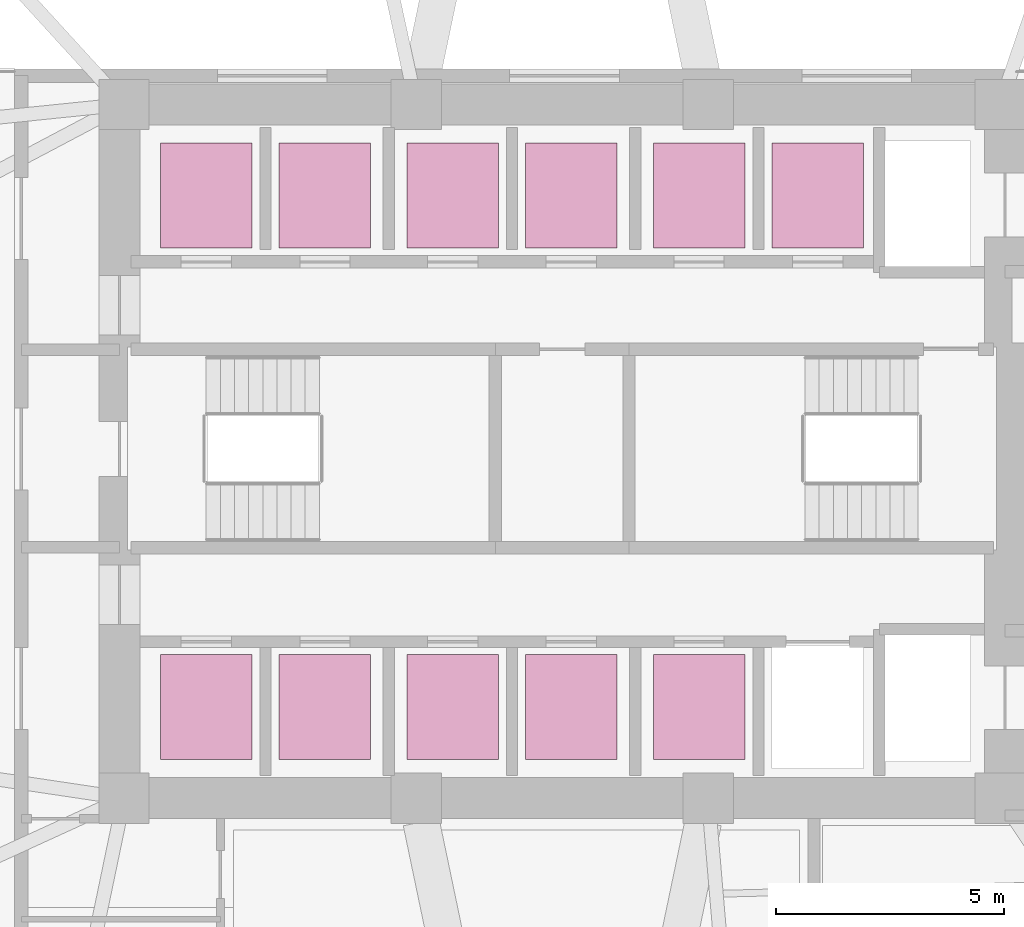
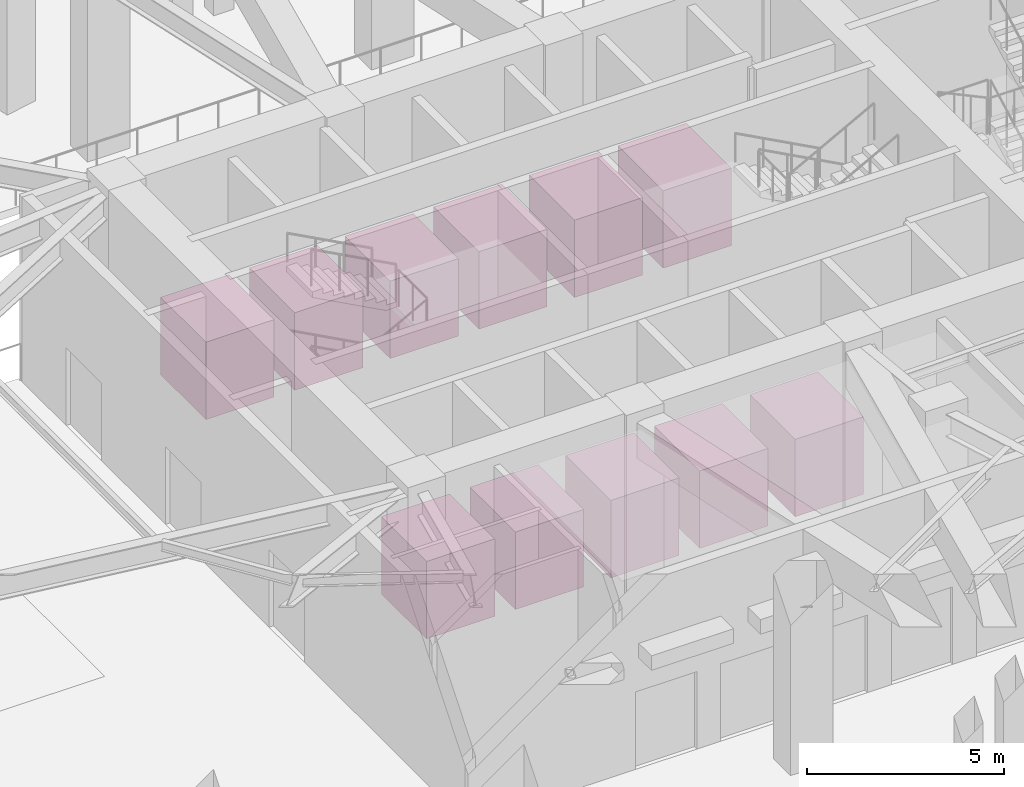
# One storey, part 14 of 14: 11 transport elements.
"""IFC4 building model written with IfcOpenShell, lengths in metres."""

import ifcopenshell
import ifcopenshell.guid

model = None  # the IFC model being written
_history = None  # IfcOwnerHistory: only IFC2X3 demands one
_inside = {}  # id of a spatial element -> (the spatial element, [elements in it])
_under = {}  # id of a project, library or spatial element -> (it, [spatial elements below it])
_declared = {}  # id of a project -> (the project, [libraries it declares])
_typed = {}  # id of a type object -> (the type object, [elements of that type])
_made_of = {}  # id of a material, layer set ... -> (it, [elements and type objects made of it])


def new_model(schema):
    """Start an empty IFC model of exactly this schema.

    Asked for "IFC4X3", IfcOpenShell would pick the latest addendum, in which some entities
    have other attributes; the version numbers below select the first issue.
    IFC2X3 requires an IfcOwnerHistory on every rooted entity: one is made here for all.
    """
    global model, _history
    if schema == "IFC4X3":
        model = ifcopenshell.file(schema_version=(4, 3, 0, 0))
    else:
        model = ifcopenshell.file(schema=schema)
    _inside.clear()
    _under.clear()
    _declared.clear()
    _typed.clear()
    _made_of.clear()
    _history = None
    if model.schema == "IFC2X3":
        org = make("IfcOrganization", Name="unknown")
        user = make(
            "IfcPersonAndOrganization",
            ThePerson=make("IfcPerson", FamilyName="unknown"),
            TheOrganization=org,
        )
        app = make(
            "IfcApplication",
            ApplicationDeveloper=org,
            Version="unknown",
            ApplicationFullName="unknown",
            ApplicationIdentifier="unknown",
        )
        _history = make(
            "IfcOwnerHistory",
            OwningUser=user,
            OwningApplication=app,
            ChangeAction="ADDED",
            CreationDate=0,
        )
    return model


def make(cls, **values):
    """One entity of the class cls with the attributes given. An attribute that is None is left unset."""
    return model.create_entity(
        cls, **{name: value for name, value in values.items() if value is not None}
    )


def rooted(cls, **values):
    """An entity with a GlobalId (a new one), such as an element, a storey or a relation."""
    return make(cls, GlobalId=ifcopenshell.guid.new(), OwnerHistory=_history, **values)


def si_unit(unit_type, name, prefix=None):
    """IfcSIUnit, for example si_unit("LENGTHUNIT", "METRE", prefix="MILLI")."""
    return make("IfcSIUnit", UnitType=unit_type, Prefix=prefix, Name=name)


def assignment(units):
    """IfcUnitAssignment: the units of a project."""
    return None if units is None else make("IfcUnitAssignment", Units=units)


def point(xyz):
    """IfcCartesianPoint."""
    return None if xyz is None else make("IfcCartesianPoint", Coordinates=xyz)


def direction(xyz):
    """IfcDirection."""
    return None if xyz is None else make("IfcDirection", DirectionRatios=xyz)


def frame(location, z_axis=None, x_axis=None):
    """IfcAxis2Placement3D, a coordinate frame: its origin and axes. An axis left out is left unset."""
    return make(
        "IfcAxis2Placement3D",
        Location=point(location),
        Axis=direction(z_axis),
        RefDirection=direction(x_axis),
    )


def frame_2d(location, x_axis=None):
    """IfcAxis2Placement2D, a coordinate frame in the plane: its origin and x axis."""
    return make(
        "IfcAxis2Placement2D", Location=point(location), RefDirection=direction(x_axis)
    )


def origin():
    """The frame at (0, 0, 0) with its axes left unset."""
    return frame((0.0, 0.0, 0.0))


def origin_2d():
    """The frame at (0, 0) in the plane with its x axis left unset."""
    return frame_2d((0.0, 0.0))


def place(relative_to, where):
    """IfcLocalPlacement: puts the frame where relative to a parent placement (None: the world)."""
    return make(
        "IfcLocalPlacement", PlacementRelTo=relative_to, RelativePlacement=where
    )


def context(
    kind, dimensions, precision=None, world=None, true_north=None, identifier=None
):
    """IfcGeometricRepresentationContext, for example the 3D "Model" context."""
    return make(
        "IfcGeometricRepresentationContext",
        ContextIdentifier=identifier,
        ContextType=kind,
        CoordinateSpaceDimension=dimensions,
        Precision=precision,
        WorldCoordinateSystem=world,
        TrueNorth=true_north,
    )


def subcontext(parent, identifier, kind, view, scale=None):
    """IfcGeometricRepresentationSubContext, for example "Body" below "Model"."""
    return make(
        "IfcGeometricRepresentationSubContext",
        ContextIdentifier=identifier,
        ContextType=kind,
        ParentContext=parent,
        TargetScale=scale,
        TargetView=view,
    )


def project(units=None, contexts=None):
    """IfcProject with its units and contexts."""
    return rooted(
        "IfcProject",
        Name="project",
        RepresentationContexts=contexts,
        UnitsInContext=assignment(units),
    )


def spatial(cls, under=None, at=None, **own):
    """A site, building, storey or space (cls), placed at a placement, below another one or the project."""
    s = rooted(cls, ObjectPlacement=at, **own)
    if under is not None:
        _under.setdefault(under.id(), (under, []))[1].append(s)
    return s


def profile(cls, at=None, kind="AREA", **sizes):
    """A parametric profile (cls). Its sizes go by their IFC names, for example OverallWidth=200.0."""
    return make(cls, ProfileType=kind, Position=at, **sizes)


def rectangle(**sizes):
    """IfcRectangleProfileDef."""
    return profile("IfcRectangleProfileDef", **sizes)


def extrude(swept, where, along, depth):
    """IfcExtrudedAreaSolid: the profile swept, set in the frame where, extruded along a direction by depth."""
    return make(
        "IfcExtrudedAreaSolid",
        SweptArea=swept,
        Position=where,
        ExtrudedDirection=direction(along),
        Depth=depth,
    )


def shape(context_of_items, identifier, shape_type, items):
    """IfcShapeRepresentation: the items that make up one representation, for example the "Body"."""
    return make(
        "IfcShapeRepresentation",
        ContextOfItems=context_of_items,
        RepresentationIdentifier=identifier,
        RepresentationType=shape_type,
        Items=items,
    )


def material(Name=None, Category=None):
    """IfcMaterial."""
    return make("IfcMaterial", Name=Name, Category=Category)


def made_of(thing, what):
    """Note that an element or type object is made of a material, layer set ...; save() writes the relation."""
    if what is not None:
        _made_of.setdefault(what.id(), (what, []))[1].append(thing)
    return thing


def type_object(cls, material=None, **own):
    """A type object (cls), such as IfcWallType, which elements share."""
    return made_of(rooted(cls, **own), material)


def element(
    cls,
    number,
    at=None,
    inside=None,
    cuts=None,
    type_object=None,
    material=None,
    context=None,
    identifier="Body",
    shape_type=None,
    held_by="IfcProductDefinitionShape",
    body=None,
    shapes=None,
    **own,
):
    """One element of the class cls, such as IfcWall. Its Tag is "e" and its number.

    at: its placement. inside: the storey or other place that contains it. cuts: it is an
    opening in that element (IfcRelVoidsElement). A single representation is given by context,
    identifier, shape_type and body (its items); several are given by shapes. held_by: the class
    of the entity that holds the representations. save() writes the other relations.
    """
    e = rooted(cls, Tag="e%d" % number, ObjectPlacement=at, **own)
    if body is not None:
        shapes = [shape(context, identifier, shape_type, body)]
    if shapes is not None:
        e.Representation = make(held_by, Representations=shapes)
    if inside is not None:
        _inside.setdefault(inside.id(), (inside, []))[1].append(e)
    if cuts is not None:
        rooted(
            "IfcRelVoidsElement", RelatingBuildingElement=cuts, RelatedOpeningElement=e
        )
    if type_object is not None:
        _typed.setdefault(type_object.id(), (type_object, []))[1].append(e)
    return made_of(e, material)


def aggregate(whole, parts):
    """IfcRelAggregates: a whole, such as a stair, and the parts it consists of."""
    return rooted("IfcRelAggregates", RelatingObject=whole, RelatedObjects=parts)


def save(model, path):
    """Write the relations noted so far, then the file.

    IfcRelAggregates (storeys below a building ...), IfcRelContainedInSpatialStructure (elements
    in a storey), IfcRelDefinesByType, IfcRelAssociatesMaterial and IfcRelDeclares: one each for
    every whole, place, type object, material and project.
    """
    for whole, parts in _under.values():
        aggregate(whole, parts)
    for where, things in _inside.values():
        rooted(
            "IfcRelContainedInSpatialStructure",
            RelatedElements=things,
            RelatingStructure=where,
        )
    for kind, things in _typed.values():
        rooted("IfcRelDefinesByType", RelatedObjects=things, RelatingType=kind)
    for what, things in _made_of.values():
        rooted("IfcRelAssociatesMaterial", RelatedObjects=things, RelatingMaterial=what)
    for by, libraries in _declared.values():
        rooted("IfcRelDeclares", RelatingContext=by, RelatedDefinitions=libraries)
    model.write(path)


model = new_model("IFC4")

# Units and contexts
model_context = context("Model", 3, precision=1e-05, world=origin(), true_north=direction((0.0, 1.0)))
body_context = subcontext(model_context, "Body", "Model", "MODEL_VIEW")
ifc_project = project(units=[si_unit("LENGTHUNIT", "METRE"), si_unit("AREAUNIT", "SQUARE_METRE"), si_unit("VOLUMEUNIT", "CUBIC_METRE"), si_unit("PLANEANGLEUNIT", "RADIAN"), si_unit("MASSUNIT", "GRAM", prefix="KILO")], contexts=[model_context])

# Site, building, storey
site_placement = place(None, origin())
site = spatial("IfcSite", under=ifc_project, at=site_placement, CompositionType="ELEMENT")
building_placement = place(site_placement, origin())
building = spatial("IfcBuilding", under=site, at=building_placement, Name="Lazwardi Medical Tower", CompositionType="ELEMENT")
storey_placement = place(building_placement, origin())
storey = spatial("IfcBuildingStorey", under=building, at=storey_placement, Name="L00", CompositionType="ELEMENT", Elevation=0.0)

# Transport elements
ifc_material = material(Name="Stainless steel Grade 316", Category="steel")
transport_element_type = type_object("IfcTransportElementType", Name="LFT-PAS-01", PredefinedType="ELEVATOR", material=ifc_material)
for number, where, z_axis, x_axis, name in (
    (1, (28.199951171875, 33.60009765625, 0.0), (0.0, 0.0, 1.0), (1.0, 0.0, 0.0), "Passenger Lift PL-01"),
    (2, (30.800048828125, 33.60009765625, 0.0), (0.0, 0.0, 1.0), (1.0, 0.0, 0.0), "Passenger Lift PL-02"),
    (3, (28.199951171875, 22.39990234375, 0.0), (0.0, 0.0, 1.0), (1.0, 0.0, 0.0), "Passenger Lift PL-03"),
    (4, (30.800048828125, 22.39990234375, 0.0), (0.0, 0.0, 1.0), (1.0, 0.0, 0.0), "Passenger Lift PL-04"),
    (5, (33.60009765625, 33.60009765625, 0.0), (0.0, 0.0, 1.0), (1.0, 0.0, 0.0), "Passenger Lift PL-05"),
    (6, (36.199951171875, 33.60009765625, 0.0), (0.0, 0.0, 1.0), (1.0, 0.0, 0.0), "Passenger Lift PL-06"),
    (7, (33.60009765625, 22.39990234375, 0.0), (0.0, 0.0, 1.0), (1.0, 0.0, 0.0), "Passenger Lift PL-07"),
    (8, (36.199951171875, 22.39990234375, 0.0), (0.0, 0.0, 1.0), (1.0, 0.0, 0.0), "Passenger Lift PL-08"),
    (9, (39.0, 33.60009765625, 0.0), (0.0, 0.0, 1.0), (1.0, 0.0, 0.0), "Passenger Lift PL-09"),
    (10, (41.60009765625, 33.60009765625, 0.0), (0.0, 0.0, 1.0), (1.0, 0.0, 0.0), "Passenger Lift PL-10"),
    (11, (39.0, 22.39990234375, 0.0), (0.0, 0.0, 1.0), (1.0, 0.0, 0.0), "Passenger Lift PL-11"),
):
    element("IfcTransportElement", number, at=place(storey_placement, frame(where, z_axis=z_axis, x_axis=x_axis)), inside=storey, type_object=transport_element_type, Name=name, PredefinedType="ELEVATOR", context=body_context, shape_type="SweptSolid", body=[
        extrude(rectangle(XDim=2.0, YDim=2.300048828125, at=origin_2d()), origin(), (0.0, 0.0, 1.0), 2.39990234375),
    ])

save(model, "model.ifc")
